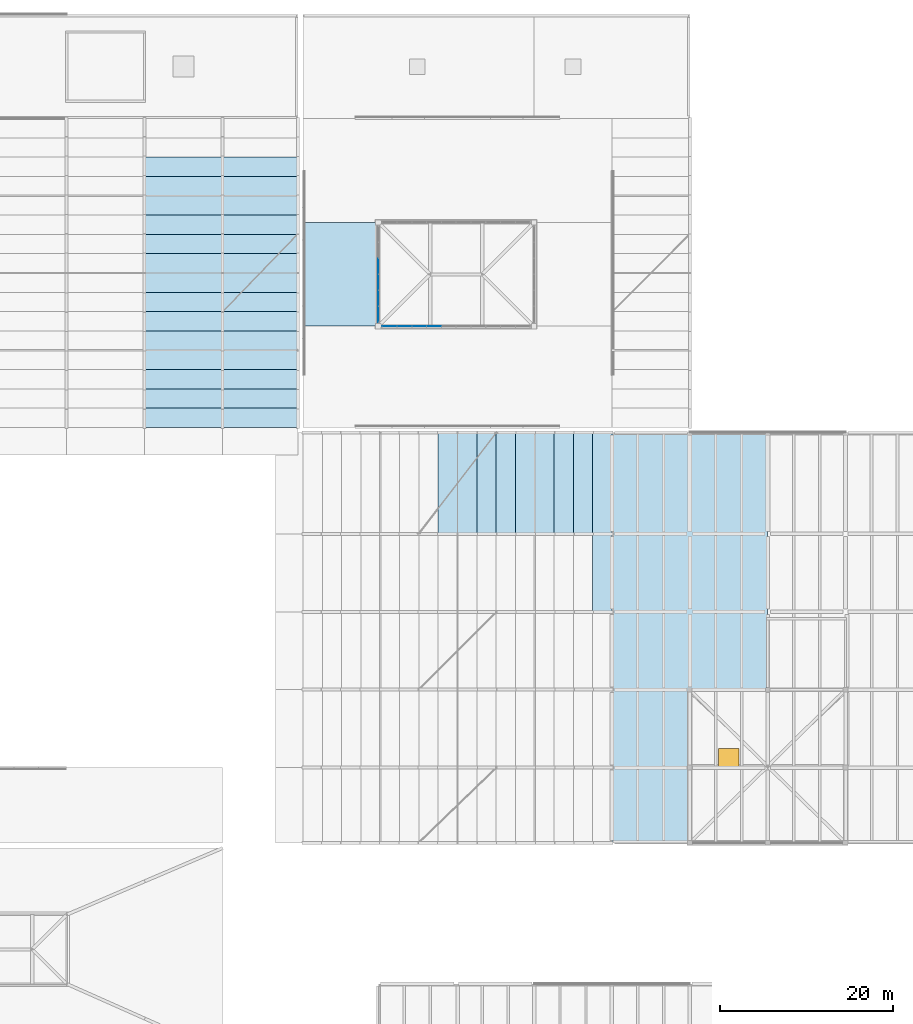
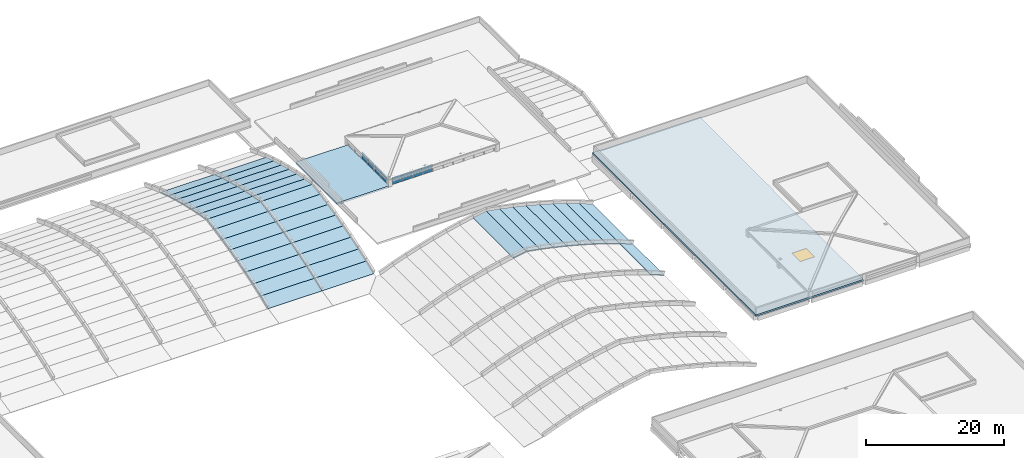
"""IFC4 building model written with IfcOpenShell, lengths in metres."""

from ifc_helpers import new_model, si_unit, direction, frame, origin, origin_2d, place, context, subcontext, project, spatial, polyline, rectangle, outline, extrude, material, layer, layer_set, type_object, element, fill, aggregate, save


model = new_model("IFC4")

# Units and contexts
model_context = context("Model", 3, precision=1e-05, world=origin(), true_north=direction((0.0, 1.0)))
body_context = subcontext(model_context, "Body", "Model", "MODEL_VIEW")
ifc_project = project(units=[si_unit("LENGTHUNIT", "METRE"), si_unit("AREAUNIT", "SQUARE_METRE"), si_unit("VOLUMEUNIT", "CUBIC_METRE"), si_unit("PLANEANGLEUNIT", "RADIAN"), si_unit("MASSUNIT", "GRAM", prefix="KILO")], contexts=[model_context])

# Site, building, storey
site_placement = place(None, origin())
site = spatial("IfcSite", under=ifc_project, at=site_placement, CompositionType="ELEMENT")
building_placement = place(site_placement, origin())
building = spatial("IfcBuilding", under=site, at=building_placement, Name="Zacnel Wholesale Market", CompositionType="ELEMENT")
storey_1_placement = place(building_placement, frame((0.0, 0.0, 20.300048828125)))
storey_1 = spatial("IfcBuildingStorey", under=building, at=storey_1_placement, Name="RF", CompositionType="ELEMENT", Elevation=20.300048828125)

# Curtain wall, plates
ifc_material_1 = material(Name="Anodised aluminium", Category="aluminium")
ifc_layer_1 = layer(ifc_material_1, 0.14990234375)
ifc_layer_set_1 = layer_set([ifc_layer_1], Name="Anodised aluminium")
curtain_wall_type = type_object("IfcCurtainWallType", Name="CW-CLER-3600", PredefinedType="NOTDEFINED", material=ifc_layer_set_1)
curtain_wall_1_placement = place(storey_1_placement, origin())
curtain_wall_1 = element("IfcCurtainWall", 1, at=curtain_wall_1_placement, inside=storey_1, type_object=curtain_wall_type, Name="Curtain wall ENV-CW-XLAN-S", PredefinedType="NOTDEFINED")
ifc_material_2 = material(Name="Laminated hurricane-impact low-E insulated glass", Category="glass")
ifc_layer_2 = layer(ifc_material_2, 0.02392578125)
ifc_layer_set_2 = layer_set([ifc_layer_2], Name="Laminated hurricane-impact low-E insulated glass")
plate_type = type_object("IfcPlateType", Name="CWP-PNL-03", PredefinedType="CURTAIN_PANEL", material=ifc_layer_set_2)
plate_1_placement = place(storey_1_placement, frame((154.304931640625, 108.0, -3.8701171875), z_axis=(0.0, 0.0, 1.0), x_axis=(1.0, 0.0, 0.0)))
plate_1 = element("IfcPlate", 2, at=plate_1_placement, type_object=plate_type, Name="ENV-CW-XLAN-S panel 1-1", PredefinedType="CURTAIN_PANEL", context=body_context, shape_type="SweptSolid", body=[
    extrude(rectangle(XDim=1.639892578125, YDim=0.02392578125, at=origin_2d()), origin(), (0.0, 0.0, 1.0), 0.614990234375),
])
plate_2_placement = place(storey_1_placement, frame((154.304931640625, 108.0, -3.19482421875), z_axis=(0.0, 0.0, 1.0), x_axis=(1.0, 0.0, 0.0)))
plate_2 = element("IfcPlate", 3, at=plate_2_placement, type_object=plate_type, Name="ENV-CW-XLAN-S panel 1-2", PredefinedType="CURTAIN_PANEL", context=body_context, shape_type="SweptSolid", body=[
    extrude(rectangle(XDim=1.639892578125, YDim=0.02392578125, at=origin_2d()), origin(), (0.0, 0.0, 1.0), 0.614990234375),
])
plate_3_placement = place(storey_1_placement, frame((156.014892578125, 108.0, -3.8701171875), z_axis=(0.0, 0.0, 1.0), x_axis=(1.0, 0.0, 0.0)))
plate_3 = element("IfcPlate", 4, at=plate_3_placement, type_object=plate_type, Name="ENV-CW-XLAN-S panel 2-1", PredefinedType="CURTAIN_PANEL", context=body_context, shape_type="SweptSolid", body=[
    extrude(rectangle(XDim=1.639892578125, YDim=0.02392578125, at=origin_2d()), origin(), (0.0, 0.0, 1.0), 0.614990234375),
])
plate_4_placement = place(storey_1_placement, frame((156.014892578125, 108.0, -3.19482421875), z_axis=(0.0, 0.0, 1.0), x_axis=(1.0, 0.0, 0.0)))
plate_4 = element("IfcPlate", 5, at=plate_4_placement, type_object=plate_type, Name="ENV-CW-XLAN-S panel 2-2", PredefinedType="CURTAIN_PANEL", context=body_context, shape_type="SweptSolid", body=[
    extrude(rectangle(XDim=1.639892578125, YDim=0.02392578125, at=origin_2d()), origin(), (0.0, 0.0, 1.0), 0.614990234375),
])
plate_5_placement = place(storey_1_placement, frame((157.72509765625, 108.0, -3.8701171875), z_axis=(0.0, 0.0, 1.0), x_axis=(1.0, 0.0, 0.0)))
plate_5 = element("IfcPlate", 6, at=plate_5_placement, type_object=plate_type, Name="ENV-CW-XLAN-S panel 3-1", PredefinedType="CURTAIN_PANEL", context=body_context, shape_type="SweptSolid", body=[
    extrude(rectangle(XDim=1.639892578125, YDim=0.02392578125, at=origin_2d()), origin(), (0.0, 0.0, 1.0), 0.614990234375),
])
plate_6_placement = place(storey_1_placement, frame((157.72509765625, 108.0, -3.19482421875), z_axis=(0.0, 0.0, 1.0), x_axis=(1.0, 0.0, 0.0)))
plate_6 = element("IfcPlate", 7, at=plate_6_placement, type_object=plate_type, Name="ENV-CW-XLAN-S panel 3-2", PredefinedType="CURTAIN_PANEL", context=body_context, shape_type="SweptSolid", body=[
    extrude(rectangle(XDim=1.639892578125, YDim=0.02392578125, at=origin_2d()), origin(), (0.0, 0.0, 1.0), 0.614990234375),
])
plate_7_placement = place(storey_1_placement, frame((159.43505859375, 108.0, -3.8701171875), z_axis=(0.0, 0.0, 1.0), x_axis=(1.0, 0.0, 0.0)))
plate_7 = element("IfcPlate", 8, at=plate_7_placement, type_object=plate_type, Name="ENV-CW-XLAN-S panel 4-1", PredefinedType="CURTAIN_PANEL", context=body_context, shape_type="SweptSolid", body=[
    extrude(rectangle(XDim=1.639892578125, YDim=0.02392578125, at=origin_2d()), origin(), (0.0, 0.0, 1.0), 0.614990234375),
])
plate_8_placement = place(storey_1_placement, frame((159.43505859375, 108.0, -3.19482421875), z_axis=(0.0, 0.0, 1.0), x_axis=(1.0, 0.0, 0.0)))
plate_8 = element("IfcPlate", 9, at=plate_8_placement, type_object=plate_type, Name="ENV-CW-XLAN-S panel 4-2", PredefinedType="CURTAIN_PANEL", context=body_context, shape_type="SweptSolid", body=[
    extrude(rectangle(XDim=1.639892578125, YDim=0.02392578125, at=origin_2d()), origin(), (0.0, 0.0, 1.0), 0.614990234375),
])
aggregate(curtain_wall_1, [plate_1, plate_2, plate_3, plate_4, plate_5, plate_6, plate_7, plate_8])

curtain_wall_2_placement = place(storey_1_placement, origin())
curtain_wall_2 = element("IfcCurtainWall", 10, at=curtain_wall_2_placement, inside=storey_1, type_object=curtain_wall_type, Name="Curtain wall ENV-CW-XLAN-W", PredefinedType="NOTDEFINED")
plate_9_placement = place(storey_1_placement, frame((153.0, 109.375, -3.8701171875), z_axis=(0.0, 0.0, 1.0), x_axis=(0.0, 1.0, 0.0)))
plate_9 = element("IfcPlate", 11, at=plate_9_placement, type_object=plate_type, Name="ENV-CW-XLAN-W panel 1-1", PredefinedType="CURTAIN_PANEL", context=body_context, shape_type="SweptSolid", body=[
    extrude(rectangle(XDim=1.780029296875, YDim=0.02392578125, at=origin_2d()), origin(), (0.0, 0.0, 1.0), 0.614990234375),
])
plate_10_placement = place(storey_1_placement, frame((153.0, 109.375, -3.19482421875), z_axis=(0.0, 0.0, 1.0), x_axis=(0.0, 1.0, 0.0)))
plate_10 = element("IfcPlate", 12, at=plate_10_placement, type_object=plate_type, Name="ENV-CW-XLAN-W panel 1-2", PredefinedType="CURTAIN_PANEL", context=body_context, shape_type="SweptSolid", body=[
    extrude(rectangle(XDim=1.780029296875, YDim=0.02392578125, at=origin_2d()), origin(), (0.0, 0.0, 1.0), 0.614990234375),
])
plate_11_placement = place(storey_1_placement, frame((153.0, 111.22509765625, -3.8701171875), z_axis=(0.0, 0.0, 1.0), x_axis=(0.0, 1.0, 0.0)))
plate_11 = element("IfcPlate", 13, at=plate_11_placement, type_object=plate_type, Name="ENV-CW-XLAN-W panel 2-1", PredefinedType="CURTAIN_PANEL", context=body_context, shape_type="SweptSolid", body=[
    extrude(rectangle(XDim=1.780029296875, YDim=0.02392578125, at=origin_2d()), origin(), (0.0, 0.0, 1.0), 0.614990234375),
])
plate_12_placement = place(storey_1_placement, frame((153.0, 111.22509765625, -3.19482421875), z_axis=(0.0, 0.0, 1.0), x_axis=(0.0, 1.0, 0.0)))
plate_12 = element("IfcPlate", 14, at=plate_12_placement, type_object=plate_type, Name="ENV-CW-XLAN-W panel 2-2", PredefinedType="CURTAIN_PANEL", context=body_context, shape_type="SweptSolid", body=[
    extrude(rectangle(XDim=1.780029296875, YDim=0.02392578125, at=origin_2d()), origin(), (0.0, 0.0, 1.0), 0.614990234375),
])
plate_13_placement = place(storey_1_placement, frame((153.0, 113.074951171875, -3.8701171875), z_axis=(0.0, 0.0, 1.0), x_axis=(0.0, 1.0, 0.0)))
plate_13 = element("IfcPlate", 15, at=plate_13_placement, type_object=plate_type, Name="ENV-CW-XLAN-W panel 3-1", PredefinedType="CURTAIN_PANEL", context=body_context, shape_type="SweptSolid", body=[
    extrude(rectangle(XDim=1.780029296875, YDim=0.02392578125, at=origin_2d()), origin(), (0.0, 0.0, 1.0), 0.614990234375),
])
plate_14_placement = place(storey_1_placement, frame((153.0, 113.074951171875, -3.19482421875), z_axis=(0.0, 0.0, 1.0), x_axis=(0.0, 1.0, 0.0)))
plate_14 = element("IfcPlate", 16, at=plate_14_placement, type_object=plate_type, Name="ENV-CW-XLAN-W panel 3-2", PredefinedType="CURTAIN_PANEL", context=body_context, shape_type="SweptSolid", body=[
    extrude(rectangle(XDim=1.780029296875, YDim=0.02392578125, at=origin_2d()), origin(), (0.0, 0.0, 1.0), 0.614990234375),
])
plate_15_placement = place(storey_1_placement, frame((153.0, 114.925048828125, -3.8701171875), z_axis=(0.0, 0.0, 1.0), x_axis=(0.0, 1.0, 0.0)))
plate_15 = element("IfcPlate", 17, at=plate_15_placement, type_object=plate_type, Name="ENV-CW-XLAN-W panel 4-1", PredefinedType="CURTAIN_PANEL", context=body_context, shape_type="SweptSolid", body=[
    extrude(rectangle(XDim=1.780029296875, YDim=0.02392578125, at=origin_2d()), origin(), (0.0, 0.0, 1.0), 0.614990234375),
])
plate_16_placement = place(storey_1_placement, frame((153.0, 114.925048828125, -3.19482421875), z_axis=(0.0, 0.0, 1.0), x_axis=(0.0, 1.0, 0.0)))
plate_16 = element("IfcPlate", 18, at=plate_16_placement, type_object=plate_type, Name="ENV-CW-XLAN-W panel 4-2", PredefinedType="CURTAIN_PANEL", context=body_context, shape_type="SweptSolid", body=[
    extrude(rectangle(XDim=1.780029296875, YDim=0.02392578125, at=origin_2d()), origin(), (0.0, 0.0, 1.0), 0.614990234375),
])
aggregate(curtain_wall_2, [plate_9, plate_10, plate_11, plate_12, plate_13, plate_14, plate_15, plate_16])

# Roof, slabs
ifc_material_3 = material(Name="Concrete C40/50", Category="concrete")
ifc_layer_3 = layer(ifc_material_3, 0.110107421875)
ifc_layer_set_3 = layer_set([ifc_layer_3], Name="Concrete C40/50")
roof_type_1 = type_object("IfcRoofType", Name="ROOF-BARREL-36M", PredefinedType="BARREL_ROOF", material=ifc_layer_set_3)
roof_1_placement = place(storey_1_placement, origin())
roof_1 = element("IfcRoof", 19, at=roof_1_placement, inside=storey_1, type_object=roof_type_1, Name="Parabolic barrel-shell roof V1N-W-07", PredefinedType="BARREL_ROOF")
ifc_material_4 = material(Name="Concrete C40/50", Category="concrete")
ifc_layer_4 = layer(ifc_material_4, 0.110107421875)
ifc_layer_set_4 = layer_set([ifc_layer_4], Name="Concrete C40/50")
slab_type_1 = type_object("IfcSlabType", Name="SLB-ROOF-SHELL-110", PredefinedType="ROOF", material=ifc_layer_set_4)
slab_1_placement = place(storey_1_placement, frame((126.0, 96.300048828125, -9.10009765625), z_axis=(0.0, -0.366946359501, 0.930242102492), x_axis=(1.0, 0.0, 0.0)))
slab_1 = element("IfcSlab", 20, at=slab_1_placement, type_object=slab_type_1, Name="Barrel-shell facet V1N-W-07-F01", PredefinedType="ROOF", context=body_context, shape_type="SweptSolid", body=[
    extrude(outline(polyline([(0.0, 0.0), (9.0, 0.0), (9.0, 2.3985166505558118), (0.0, 2.3985166505558118), (0.0, 0.0)])), origin(), (0.0, 0.0, -1.0), 0.110107421875),
])
slab_2_placement = place(storey_1_placement, frame((126.0, 98.53125, -8.219970703125), z_axis=(0.0, -0.337438907944, 0.941347429701), x_axis=(1.0, 0.0, 0.0)))
slab_2 = element("IfcSlab", 21, at=slab_2_placement, type_object=slab_type_1, Name="Barrel-shell facet V1N-W-07-F02", PredefinedType="ROOF", context=body_context, shape_type="SweptSolid", body=[
    extrude(outline(polyline([(0.0, 0.0), (9.0, 0.0), (9.0, 2.370220708609927), (0.0, 2.370220708609927), (0.0, 0.0)])), origin(), (0.0, 0.0, -1.0), 0.110107421875),
])
slab_3_placement = place(storey_1_placement, frame((126.0, 100.762451171875, -7.420166015625), z_axis=(0.0, -0.307185321823, 0.951649713947), x_axis=(1.0, 0.0, 0.0)))
slab_3 = element("IfcSlab", 22, at=slab_3_placement, type_object=slab_type_1, Name="Barrel-shell facet V1N-W-07-F03", PredefinedType="ROOF", context=body_context, shape_type="SweptSolid", body=[
    extrude(outline(polyline([(0.0, 0.0), (9.0, 0.0), (9.0, 2.3445613855333813), (0.0, 2.3445613855333813), (0.0, 0.0)])), origin(), (0.0, 0.0, -1.0), 0.110107421875),
])
slab_4_placement = place(storey_1_placement, frame((126.0, 102.99365234375, -6.699951171875), z_axis=(0.0, -0.275651658171, 0.961257594689), x_axis=(1.0, 0.0, 0.0)))
slab_4 = element("IfcSlab", 23, at=slab_4_placement, type_object=slab_type_1, Name="Barrel-shell facet V1N-W-07-F04", PredefinedType="ROOF", context=body_context, shape_type="SweptSolid", body=[
    extrude(outline(polyline([(0.0, 0.0), (9.0, 0.0), (9.0, 2.3213812039856103), (0.0, 2.3213812039856103), (0.0, 0.0)])), origin(), (0.0, 0.0, -1.0), 0.110107421875),
])
slab_5_placement = place(storey_1_placement, frame((126.0, 105.22509765625, -6.06005859375), z_axis=(0.0, -0.251619964429, 0.967826117389), x_axis=(1.0, 0.0, 0.0)))
slab_5 = element("IfcSlab", 24, at=slab_5_placement, type_object=slab_type_1, Name="Barrel-shell facet V1N-W-07-F05", PredefinedType="ROOF", context=body_context, shape_type="SweptSolid", body=[
    extrude(outline(polyline([(0.0, 0.0), (9.0, 0.0), (9.0, 2.305374004468665), (0.0, 2.305374004468665), (0.0, 0.0)])), origin(), (0.0, 0.0, -1.0), 0.110107421875),
])
slab_6_placement = place(storey_1_placement, frame((126.0, 107.456298828125, -5.47998046875), z_axis=(0.0, -0.226983688872, 0.973898559906), x_axis=(1.0, 0.0, 0.0)))
slab_6 = element("IfcSlab", 25, at=slab_6_placement, type_object=slab_type_1, Name="Barrel-shell facet V1N-W-07-F06", PredefinedType="ROOF", context=body_context, shape_type="SweptSolid", body=[
    extrude(outline(polyline([(0.0, 0.0), (9.0, 0.0), (9.0, 2.2909995596371995), (0.0, 2.2909995596371995), (0.0, 0.0)])), origin(), (0.0, 0.0, -1.0), 0.110107421875),
])
slab_7_placement = place(storey_1_placement, frame((126.0, 109.6875, -4.9599609375), z_axis=(0.0, -0.201903890951, 0.979405339386), x_axis=(1.0, 0.0, 0.0)))
slab_7 = element("IfcSlab", 26, at=slab_7_placement, type_object=slab_type_1, Name="Barrel-shell facet V1N-W-07-F07", PredefinedType="ROOF", context=body_context, shape_type="SweptSolid", body=[
    extrude(outline(polyline([(0.0, 0.0), (9.0, 0.0), (9.0, 2.2781182439465804), (0.0, 2.2781182439465804), (0.0, 0.0)])), origin(), (0.0, 0.0, -1.0), 0.110107421875),
])
slab_8_placement = place(storey_1_placement, frame((126.0, 111.918701171875, -4.5), z_axis=(0.0, -0.176420589484, 0.984314876249), x_axis=(1.0, 0.0, 0.0)))
slab_8 = element("IfcSlab", 27, at=slab_8_placement, type_object=slab_type_1, Name="Barrel-shell facet V1N-W-07-F08", PredefinedType="ROOF", context=body_context, shape_type="SweptSolid", body=[
    extrude(outline(polyline([(0.0, 0.0), (9.0, 0.0), (9.0, 2.266755512602344), (0.0, 2.266755512602344), (0.0, 0.0)])), origin(), (0.0, 0.0, -1.0), 0.110107421875),
])
slab_9_placement = place(storey_1_placement, frame((126.0, 114.14990234375, -4.10009765625), z_axis=(0.0, 0.176420589484, 0.984314876249), x_axis=(1.0, 0.0, 0.0)))
slab_9 = element("IfcSlab", 28, at=slab_9_placement, type_object=slab_type_1, Name="Barrel-shell facet V1N-W-07-F09", PredefinedType="ROOF", context=body_context, shape_type="SweptSolid", body=[
    extrude(outline(polyline([(0.0, 0.0), (9.0, 0.0), (9.0, 2.266755512602344), (0.0, 2.266755512602344), (0.0, 0.0)])), origin(), (0.0, 0.0, -1.0), 0.110107421875),
])
slab_10_placement = place(storey_1_placement, frame((126.0, 116.381103515625, -4.5), z_axis=(0.0, 0.201882701177, 0.979409707408), x_axis=(1.0, 0.0, 0.0)))
slab_10 = element("IfcSlab", 29, at=slab_10_placement, type_object=slab_type_1, Name="Barrel-shell facet V1N-W-07-F10", PredefinedType="ROOF", context=body_context, shape_type="SweptSolid", body=[
    extrude(outline(polyline([(0.0, 0.0), (9.0, 0.0), (9.0, 2.2783573571115006), (0.0, 2.2783573571115006), (0.0, 0.0)])), origin(), (0.0, 0.0, -1.0), 0.110107421875),
])
slab_11_placement = place(storey_1_placement, frame((126.0, 118.612548828125, -4.9599609375), z_axis=(0.0, 0.226983688872, 0.973898559906), x_axis=(1.0, 0.0, 0.0)))
slab_11 = element("IfcSlab", 30, at=slab_11_placement, type_object=slab_type_1, Name="Barrel-shell facet V1N-W-07-F11", PredefinedType="ROOF", context=body_context, shape_type="SweptSolid", body=[
    extrude(outline(polyline([(0.0, 0.0), (9.0, 0.0), (9.0, 2.2909995596371995), (0.0, 2.2909995596371995), (0.0, 0.0)])), origin(), (0.0, 0.0, -1.0), 0.110107421875),
])
slab_12_placement = place(storey_1_placement, frame((126.0, 120.84375, -5.47998046875), z_axis=(0.0, 0.251619964429, 0.967826117389), x_axis=(1.0, 0.0, 0.0)))
slab_12 = element("IfcSlab", 31, at=slab_12_placement, type_object=slab_type_1, Name="Barrel-shell facet V1N-W-07-F12", PredefinedType="ROOF", context=body_context, shape_type="SweptSolid", body=[
    extrude(outline(polyline([(0.0, 0.0), (9.0, 0.0), (9.0, 2.305374004468665), (0.0, 2.305374004468665), (0.0, 0.0)])), origin(), (0.0, 0.0, -1.0), 0.110107421875),
])
slab_13_placement = place(storey_1_placement, frame((126.0, 123.074951171875, -6.06005859375), z_axis=(0.0, 0.275651658171, 0.961257594689), x_axis=(1.0, 0.0, 0.0)))
slab_13 = element("IfcSlab", 32, at=slab_13_placement, type_object=slab_type_1, Name="Barrel-shell facet V1N-W-07-F13", PredefinedType="ROOF", context=body_context, shape_type="SweptSolid", body=[
    extrude(outline(polyline([(0.0, 0.0), (9.0, 0.0), (9.0, 2.3213812039856103), (0.0, 2.3213812039856103), (0.0, 0.0)])), origin(), (0.0, 0.0, -1.0), 0.110107421875),
])
slab_14_placement = place(storey_1_placement, frame((126.0, 125.306396484375, -6.699951171875), z_axis=(0.0, 0.307185321823, 0.951649713947), x_axis=(1.0, 0.0, 0.0)))
slab_14 = element("IfcSlab", 33, at=slab_14_placement, type_object=slab_type_1, Name="Barrel-shell facet V1N-W-07-F14", PredefinedType="ROOF", context=body_context, shape_type="SweptSolid", body=[
    extrude(outline(polyline([(0.0, 0.0), (9.0, 0.0), (9.0, 2.3445613855333813), (0.0, 2.3445613855333813), (0.0, 0.0)])), origin(), (0.0, 0.0, -1.0), 0.110107421875),
])
aggregate(roof_1, [slab_1, slab_2, slab_3, slab_4, slab_5, slab_6, slab_7, slab_8, slab_9, slab_10, slab_11, slab_12, slab_13, slab_14])

roof_2_placement = place(storey_1_placement, origin())
roof_2 = element("IfcRoof", 34, at=roof_2_placement, inside=storey_1, type_object=roof_type_1, Name="Parabolic barrel-shell roof V1N-W-08", PredefinedType="BARREL_ROOF")
slab_15_placement = place(storey_1_placement, frame((135.0, 96.300048828125, -9.10009765625), z_axis=(0.0, -0.366946359501, 0.930242102492), x_axis=(1.0, 0.0, 0.0)))
slab_15 = element("IfcSlab", 35, at=slab_15_placement, type_object=slab_type_1, Name="Barrel-shell facet V1N-W-08-F01", PredefinedType="ROOF", context=body_context, shape_type="SweptSolid", body=[
    extrude(outline(polyline([(0.0, 0.0), (8.699951171875, 0.0), (8.699951171875, 2.3985166505558118), (0.0, 2.3985166505558118), (0.0, 0.0)])), origin(), (0.0, 0.0, -1.0), 0.110107421875),
])
slab_16_placement = place(storey_1_placement, frame((135.0, 98.53125, -8.219970703125), z_axis=(0.0, -0.337438907944, 0.941347429701), x_axis=(1.0, 0.0, 0.0)))
slab_16 = element("IfcSlab", 36, at=slab_16_placement, type_object=slab_type_1, Name="Barrel-shell facet V1N-W-08-F02", PredefinedType="ROOF", context=body_context, shape_type="SweptSolid", body=[
    extrude(outline(polyline([(0.0, 0.0), (8.699951171875, 0.0), (8.699951171875, 2.370220708609927), (0.0, 2.370220708609927), (0.0, 0.0)])), origin(), (0.0, 0.0, -1.0), 0.110107421875),
])
slab_17_placement = place(storey_1_placement, frame((135.0, 100.762451171875, -7.420166015625), z_axis=(0.0, -0.307185321823, 0.951649713947), x_axis=(1.0, 0.0, 0.0)))
slab_17 = element("IfcSlab", 37, at=slab_17_placement, type_object=slab_type_1, Name="Barrel-shell facet V1N-W-08-F03", PredefinedType="ROOF", context=body_context, shape_type="SweptSolid", body=[
    extrude(outline(polyline([(0.0, 0.0), (8.699951171875, 0.0), (8.699951171875, 2.344561385533382), (0.0, 2.344561385533382), (0.0, 0.0)])), origin(), (0.0, 0.0, -1.0), 0.110107421875),
])
slab_18_placement = place(storey_1_placement, frame((135.0, 102.99365234375, -6.699951171875), z_axis=(0.0, -0.275651658171, 0.961257594689), x_axis=(1.0, 0.0, 0.0)))
slab_18 = element("IfcSlab", 38, at=slab_18_placement, type_object=slab_type_1, Name="Barrel-shell facet V1N-W-08-F04", PredefinedType="ROOF", context=body_context, shape_type="SweptSolid", body=[
    extrude(outline(polyline([(0.0, 0.0), (8.699951171875, 0.0), (8.699951171875, 2.3213812039856103), (0.0, 2.3213812039856103), (0.0, 0.0)])), origin(), (0.0, 0.0, -1.0), 0.110107421875),
])
slab_19_placement = place(storey_1_placement, frame((135.0, 105.22509765625, -6.06005859375), z_axis=(0.0, -0.251619964429, 0.967826117389), x_axis=(1.0, 0.0, 0.0)))
slab_19 = element("IfcSlab", 39, at=slab_19_placement, type_object=slab_type_1, Name="Barrel-shell facet V1N-W-08-F05", PredefinedType="ROOF", context=body_context, shape_type="SweptSolid", body=[
    extrude(outline(polyline([(0.0, 0.0), (8.699951171875, 0.0), (8.699951171875, 2.3053740044686655), (0.0, 2.3053740044686655), (0.0, 0.0)])), origin(), (0.0, 0.0, -1.0), 0.110107421875),
])
slab_20_placement = place(storey_1_placement, frame((135.0, 107.456298828125, -5.47998046875), z_axis=(0.0, -0.226983688872, 0.973898559906), x_axis=(1.0, 0.0, 0.0)))
slab_20 = element("IfcSlab", 40, at=slab_20_placement, type_object=slab_type_1, Name="Barrel-shell facet V1N-W-08-F06", PredefinedType="ROOF", context=body_context, shape_type="SweptSolid", body=[
    extrude(outline(polyline([(0.0, 0.0), (8.699951171875, 0.0), (8.699951171875, 2.2909995596371995), (0.0, 2.2909995596371995), (0.0, 0.0)])), origin(), (0.0, 0.0, -1.0), 0.110107421875),
])
slab_21_placement = place(storey_1_placement, frame((135.0, 109.6875, -4.9599609375), z_axis=(0.0, -0.201903890951, 0.979405339386), x_axis=(1.0, 0.0, 0.0)))
slab_21 = element("IfcSlab", 41, at=slab_21_placement, type_object=slab_type_1, Name="Barrel-shell facet V1N-W-08-F07", PredefinedType="ROOF", context=body_context, shape_type="SweptSolid", body=[
    extrude(outline(polyline([(0.0, 0.0), (8.699951171875, 0.0), (8.699951171875, 2.2781182439465804), (0.0, 2.2781182439465804), (0.0, 0.0)])), origin(), (0.0, 0.0, -1.0), 0.110107421875),
])
slab_22_placement = place(storey_1_placement, frame((135.0, 111.918701171875, -4.5), z_axis=(0.0, -0.176420589484, 0.984314876249), x_axis=(1.0, 0.0, 0.0)))
slab_22 = element("IfcSlab", 42, at=slab_22_placement, type_object=slab_type_1, Name="Barrel-shell facet V1N-W-08-F08", PredefinedType="ROOF", context=body_context, shape_type="SweptSolid", body=[
    extrude(outline(polyline([(0.0, 0.0), (8.699951171875, 0.0), (8.699951171875, 2.266755512602344), (0.0, 2.266755512602344), (0.0, 0.0)])), origin(), (0.0, 0.0, -1.0), 0.110107421875),
])
slab_23_placement = place(storey_1_placement, frame((135.0, 114.14990234375, -4.10009765625), z_axis=(0.0, 0.176420589484, 0.984314876249), x_axis=(1.0, 0.0, 0.0)))
slab_23 = element("IfcSlab", 43, at=slab_23_placement, type_object=slab_type_1, Name="Barrel-shell facet V1N-W-08-F09", PredefinedType="ROOF", context=body_context, shape_type="SweptSolid", body=[
    extrude(outline(polyline([(0.0, 0.0), (8.699951171875, 0.0), (8.699951171875, 2.266755512602344), (0.0, 2.266755512602344), (0.0, 0.0)])), origin(), (0.0, 0.0, -1.0), 0.110107421875),
])
slab_24_placement = place(storey_1_placement, frame((135.0, 116.381103515625, -4.5), z_axis=(0.0, 0.201882701177, 0.979409707408), x_axis=(1.0, 0.0, 0.0)))
slab_24 = element("IfcSlab", 44, at=slab_24_placement, type_object=slab_type_1, Name="Barrel-shell facet V1N-W-08-F10", PredefinedType="ROOF", context=body_context, shape_type="SweptSolid", body=[
    extrude(outline(polyline([(0.0, 0.0), (8.699951171875, 0.0), (8.699951171875, 2.2783573571115006), (0.0, 2.2783573571115006), (0.0, 0.0)])), origin(), (0.0, 0.0, -1.0), 0.110107421875),
])
slab_25_placement = place(storey_1_placement, frame((135.0, 118.612548828125, -4.9599609375), z_axis=(0.0, 0.226983688872, 0.973898559906), x_axis=(1.0, 0.0, 0.0)))
slab_25 = element("IfcSlab", 45, at=slab_25_placement, type_object=slab_type_1, Name="Barrel-shell facet V1N-W-08-F11", PredefinedType="ROOF", context=body_context, shape_type="SweptSolid", body=[
    extrude(outline(polyline([(0.0, 0.0), (8.699951171875, 0.0), (8.699951171875, 2.2909995596371995), (0.0, 2.2909995596371995), (0.0, 0.0)])), origin(), (0.0, 0.0, -1.0), 0.110107421875),
])
slab_26_placement = place(storey_1_placement, frame((135.0, 120.84375, -5.47998046875), z_axis=(0.0, 0.251619964429, 0.967826117389), x_axis=(1.0, 0.0, 0.0)))
slab_26 = element("IfcSlab", 46, at=slab_26_placement, type_object=slab_type_1, Name="Barrel-shell facet V1N-W-08-F12", PredefinedType="ROOF", context=body_context, shape_type="SweptSolid", body=[
    extrude(outline(polyline([(0.0, 0.0), (8.699951171875, 0.0), (8.699951171875, 2.3053740044686655), (0.0, 2.3053740044686655), (0.0, 0.0)])), origin(), (0.0, 0.0, -1.0), 0.110107421875),
])
slab_27_placement = place(storey_1_placement, frame((135.0, 123.074951171875, -6.06005859375), z_axis=(0.0, 0.275651658171, 0.961257594689), x_axis=(1.0, 0.0, 0.0)))
slab_27 = element("IfcSlab", 47, at=slab_27_placement, type_object=slab_type_1, Name="Barrel-shell facet V1N-W-08-F13", PredefinedType="ROOF", context=body_context, shape_type="SweptSolid", body=[
    extrude(outline(polyline([(0.0, 0.0), (8.699951171875, 0.0), (8.699951171875, 2.3213812039856103), (0.0, 2.3213812039856103), (0.0, 0.0)])), origin(), (0.0, 0.0, -1.0), 0.110107421875),
])
slab_28_placement = place(storey_1_placement, frame((135.0, 125.306396484375, -6.699951171875), z_axis=(0.0, 0.307185321823, 0.951649713947), x_axis=(1.0, 0.0, 0.0)))
slab_28 = element("IfcSlab", 48, at=slab_28_placement, type_object=slab_type_1, Name="Barrel-shell facet V1N-W-08-F14", PredefinedType="ROOF", context=body_context, shape_type="SweptSolid", body=[
    extrude(outline(polyline([(0.0, 0.0), (8.699951171875, 0.0), (8.699951171875, 2.344561385533382), (0.0, 2.344561385533382), (0.0, 0.0)])), origin(), (0.0, 0.0, -1.0), 0.110107421875),
])
aggregate(roof_2, [slab_15, slab_16, slab_17, slab_18, slab_19, slab_20, slab_21, slab_22, slab_23, slab_24, slab_25, slab_26, slab_27, slab_28])

# Roof, slab
roof_3_placement = place(storey_1_placement, origin())
roof_3 = element("IfcRoof", 49, at=roof_3_placement, inside=storey_1, type_object=roof_type_1, Name="Parabolic barrel-shell roof V1E-04", PredefinedType="BARREL_ROOF")
slab_29_placement = place(storey_1_placement, frame((177.768798828125, 75.0, -8.219970703125), z_axis=(0.366946359501, 0.0, 0.930242102492), x_axis=(0.0, 1.0, 0.0)))
slab_29 = element("IfcSlab", 50, at=slab_29_placement, type_object=slab_type_1, Name="Barrel-shell facet V1E-04-F16", PredefinedType="ROOF", context=body_context, shape_type="SweptSolid", body=[
    extrude(outline(polyline([(0.0, 0.0), (9.0, 0.0), (9.0, -2.3985166505558118), (0.0, -2.3985166505558118), (0.0, 0.0)])), origin(), (0.0, 0.0, -1.0), 0.110107421875),
])
aggregate(roof_3, [slab_29])

# Roof, slabs
roof_4_placement = place(storey_1_placement, origin())
roof_4 = element("IfcRoof", 51, at=roof_4_placement, inside=storey_1, type_object=roof_type_1, Name="Parabolic barrel-shell roof V1E-05", PredefinedType="BARREL_ROOF")
slab_30_placement = place(storey_1_placement, frame((159.918701171875, 84.0, -4.5), z_axis=(-0.176420589484, 0.0, 0.984314876249), x_axis=(0.0, 1.0, 0.0)))
slab_30 = element("IfcSlab", 52, at=slab_30_placement, type_object=slab_type_1, Name="Barrel-shell facet V1E-05-F08", PredefinedType="ROOF", context=body_context, shape_type="SweptSolid", body=[
    extrude(outline(polyline([(0.0, 0.0), (11.699951171875, 0.0), (11.699951171875, -2.266755512602344), (0.0, -2.266755512602344), (0.0, 0.0)])), origin(), (0.0, 0.0, -1.0), 0.110107421875),
])
slab_31_placement = place(storey_1_placement, frame((162.14990234375, 84.0, -4.10009765625), z_axis=(0.176420589484, 0.0, 0.984314876249), x_axis=(0.0, 1.0, 0.0)))
slab_31 = element("IfcSlab", 53, at=slab_31_placement, type_object=slab_type_1, Name="Barrel-shell facet V1E-05-F09", PredefinedType="ROOF", context=body_context, shape_type="SweptSolid", body=[
    extrude(outline(polyline([(0.0, 0.0), (11.699951171875, 0.0), (11.699951171875, -2.266755512602344), (0.0, -2.266755512602344), (0.0, 0.0)])), origin(), (0.0, 0.0, -1.0), 0.110107421875),
])
slab_32_placement = place(storey_1_placement, frame((164.381103515625, 84.0, -4.5), z_axis=(0.201882701177, 0.0, 0.979409707408), x_axis=(0.0, 1.0, 0.0)))
slab_32 = element("IfcSlab", 54, at=slab_32_placement, type_object=slab_type_1, Name="Barrel-shell facet V1E-05-F10", PredefinedType="ROOF", context=body_context, shape_type="SweptSolid", body=[
    extrude(outline(polyline([(0.0, 0.0), (11.699951171875, 0.0), (11.699951171875, -2.2783573571115006), (0.0, -2.2783573571115006), (0.0, 0.0)])), origin(), (0.0, 0.0, -1.0), 0.110107421875),
])
slab_33_placement = place(storey_1_placement, frame((166.612548828125, 84.0, -4.9599609375), z_axis=(0.226983688872, 0.0, 0.973898559906), x_axis=(0.0, 1.0, 0.0)))
slab_33 = element("IfcSlab", 55, at=slab_33_placement, type_object=slab_type_1, Name="Barrel-shell facet V1E-05-F11", PredefinedType="ROOF", context=body_context, shape_type="SweptSolid", body=[
    extrude(outline(polyline([(0.0, 0.0), (11.699951171875, 0.0), (11.699951171875, -2.2909995596371995), (0.0, -2.2909995596371995), (0.0, 0.0)])), origin(), (0.0, 0.0, -1.0), 0.110107421875),
])
slab_34_placement = place(storey_1_placement, frame((168.84375, 84.0, -5.47998046875), z_axis=(0.251619964429, 0.0, 0.967826117389), x_axis=(0.0, 1.0, 0.0)))
slab_34 = element("IfcSlab", 56, at=slab_34_placement, type_object=slab_type_1, Name="Barrel-shell facet V1E-05-F12", PredefinedType="ROOF", context=body_context, shape_type="SweptSolid", body=[
    extrude(outline(polyline([(0.0, 0.0), (11.699951171875, 0.0), (11.699951171875, -2.305374004468665), (0.0, -2.305374004468665), (0.0, 0.0)])), origin(), (0.0, 0.0, -1.0), 0.110107421875),
])
slab_35_placement = place(storey_1_placement, frame((171.074951171875, 84.0, -6.06005859375), z_axis=(0.275651658171, 0.0, 0.961257594689), x_axis=(0.0, 1.0, 0.0)))
slab_35 = element("IfcSlab", 57, at=slab_35_placement, type_object=slab_type_1, Name="Barrel-shell facet V1E-05-F13", PredefinedType="ROOF", context=body_context, shape_type="SweptSolid", body=[
    extrude(outline(polyline([(0.0, 0.0), (11.699951171875, 0.0), (11.699951171875, -2.3213812039856103), (0.0, -2.3213812039856103), (0.0, 0.0)])), origin(), (0.0, 0.0, -1.0), 0.110107421875),
])
slab_36_placement = place(storey_1_placement, frame((173.306396484375, 84.0, -6.699951171875), z_axis=(0.307185321823, 0.0, 0.951649713947), x_axis=(0.0, 1.0, 0.0)))
slab_36 = element("IfcSlab", 58, at=slab_36_placement, type_object=slab_type_1, Name="Barrel-shell facet V1E-05-F14", PredefinedType="ROOF", context=body_context, shape_type="SweptSolid", body=[
    extrude(outline(polyline([(0.0, 0.0), (11.699951171875, 0.0), (11.699951171875, -2.344561385533382), (0.0, -2.344561385533382), (0.0, 0.0)])), origin(), (0.0, 0.0, -1.0), 0.110107421875),
])
slab_37_placement = place(storey_1_placement, frame((175.53759765625, 84.0, -7.420166015625), z_axis=(0.337438907944, 0.0, 0.941347429701), x_axis=(0.0, 1.0, 0.0)))
slab_37 = element("IfcSlab", 59, at=slab_37_placement, type_object=slab_type_1, Name="Barrel-shell facet V1E-05-F15", PredefinedType="ROOF", context=body_context, shape_type="SweptSolid", body=[
    extrude(outline(polyline([(0.0, 0.0), (11.699951171875, 0.0), (11.699951171875, -2.370220708609927), (0.0, -2.370220708609927), (0.0, 0.0)])), origin(), (0.0, 0.0, -1.0), 0.110107421875),
])
slab_38_placement = place(storey_1_placement, frame((177.768798828125, 84.0, -8.219970703125), z_axis=(0.366946359501, 0.0, 0.930242102492), x_axis=(0.0, 1.0, 0.0)))
slab_38 = element("IfcSlab", 60, at=slab_38_placement, type_object=slab_type_1, Name="Barrel-shell facet V1E-05-F16", PredefinedType="ROOF", context=body_context, shape_type="SweptSolid", body=[
    extrude(outline(polyline([(0.0, 0.0), (11.699951171875, 0.0), (11.699951171875, -2.3985166505558118), (0.0, -2.3985166505558118), (0.0, 0.0)])), origin(), (0.0, 0.0, -1.0), 0.110107421875),
])
aggregate(roof_4, [slab_30, slab_31, slab_32, slab_33, slab_34, slab_35, slab_36, slab_37, slab_38])

# Roof, slab
ifc_material_5 = material(Name="Precast concrete C45/55", Category="concrete")
ifc_layer_5 = layer(ifc_material_5, 0.280029296875)
ifc_layer_set_5 = layer_set([ifc_layer_5], Name="Precast concrete C45/55")
roof_type_2 = type_object("IfcRoofType", Name="ROOF-FLAT-PRECAST", PredefinedType="FLAT_ROOF", material=ifc_layer_set_5)
roof_5_placement = place(storey_1_placement, origin())
roof_5 = element("IfcRoof", 61, at=roof_5_placement, inside=storey_1, type_object=roof_type_2, Name="Crossing drum collar roof assembly", PredefinedType="FLAT_ROOF")
ifc_material_6 = material(Name="Precast concrete C45/55", Category="concrete")
ifc_layer_6 = layer(ifc_material_6, 0.300048828125)
ifc_layer_set_6 = layer_set([ifc_layer_6], Name="Precast concrete C45/55")
slab_type_2 = type_object("IfcSlabType", Name="SLB-ROOF-ZIG-300", PredefinedType="ROOF", material=ifc_layer_set_6)
slab_39_placement = place(storey_1_placement, frame((0.0, 0.0, -4.199951171875)))
slab_39 = element("IfcSlab", 62, at=slab_39_placement, type_object=slab_type_2, Name="Crossing drum collar slab W", PredefinedType="ROOF", context=body_context, shape_type="SweptSolid", body=[
    extrude(outline(polyline([(144.300048828125, 108.0), (153.0, 108.0), (153.0, 120.0), (144.300048828125, 120.0), (144.300048828125, 108.0)])), origin(), (0.0, 0.0, 1.0), 0.2998046875),
])
aggregate(roof_5, [slab_39])

# Roof, slab, opening
roof_6_placement = place(storey_1_placement, origin())
roof_6 = element("IfcRoof", 63, at=roof_6_placement, inside=storey_1, type_object=roof_type_2, Name="Precast roof assembly STR-ROOF-V1E-GAL", PredefinedType="FLAT_ROOF")
slab_40_placement = place(storey_1_placement, frame((0.0, 0.0, -0.300048828125)))
slab_40 = element("IfcSlab", 64, at=slab_40_placement, type_object=slab_type_2, Name="Precast roof slab STR-ROOF-V1E-GAL/SLB1", PredefinedType="ROOF", context=body_context, shape_type="SweptSolid", body=[
    extrude(outline(polyline([(180.0, 95.699951171875), (198.0, 95.699951171875), (198.0, 74.330078125), (197.8701171875, 74.330078125), (197.8701171875, 65.8701171875), (198.0, 65.8701171875), (198.0, 48.300048828125), (180.0, 48.300048828125), (180.0, 95.699951171875)])), origin(), (0.0, 0.0, 1.0), 0.300048828125),
])
opening_placement = place(slab_40_placement, frame((193.5, 58.0, 0.0)))
opening = element("IfcOpeningElement", 65, at=opening_placement, cuts=slab_40, Name="Opening SK-01", PredefinedType="OPENING", context=body_context, shape_type="SweptSolid", body=[
    extrude(rectangle(XDim=2.39990234375, YDim=2.39990234375, at=origin_2d()), frame((0.0, 0.0, -0.010009765625)), (0.0, 0.0, 1.0), 0.320068359375),
])

# Storey
storey_2_placement = place(building_placement, frame((0.0, 0.0, 15.75)))
storey_2 = spatial("IfcBuildingStorey", under=building, at=storey_2_placement, Name="L04", CompositionType="ELEMENT", Elevation=15.75)

# Window
ifc_material_7 = material(Name="Laminated hurricane-impact low-E insulated glass", Category="glass")
window_type = type_object("IfcWindowType", Name="WIN-SKY-2400X2400", PartitioningType="SINGLE_PANEL", PredefinedType="SKYLIGHT", material=ifc_material_7)
window_placement = place(opening_placement, frame((0.0, 0.0, 0.25)))
window = element("IfcWindow", 66, at=window_placement, inside=storey_2, type_object=window_type, Name="Hurricane roof skylight 05", OverallHeight=2.39990234375, OverallWidth=2.39990234375, PartitioningType="SINGLE_PANEL", PredefinedType="SKYLIGHT", context=body_context, shape_type="SweptSolid", body=[
    extrude(rectangle(XDim=2.39990234375, YDim=2.39990234375, at=origin_2d()), origin(), (0.0, 0.0, 1.0), 0.050048828125),
])

fill(opening, window)

aggregate(roof_6, [slab_40])

save(model, "model.ifc")
